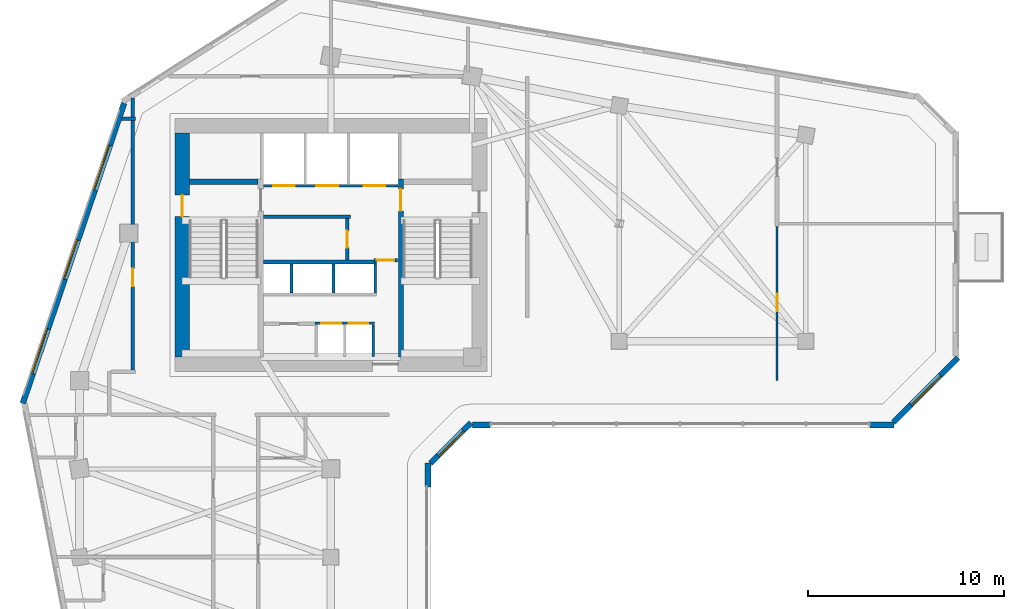
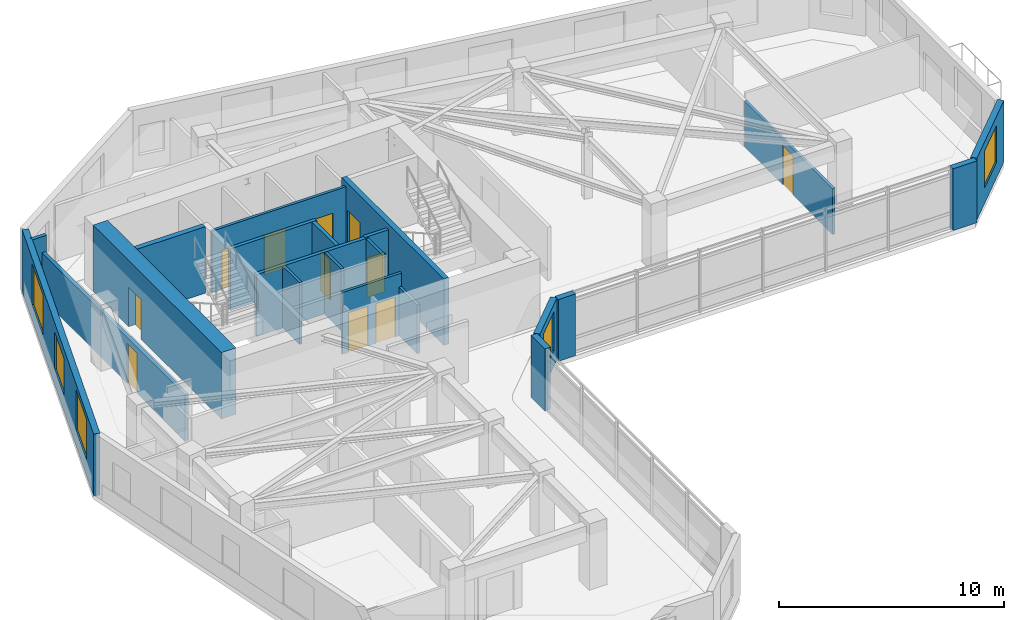
# One storey, part 6 of 13: 22 walls, 11 doors, 5 windows, 16 openings.
"""IFC4 building model written with IfcOpenShell, lengths in metres."""

import ifcopenshell
import ifcopenshell.guid

model = None  # the IFC model being written
_history = None  # IfcOwnerHistory: only IFC2X3 demands one
_inside = {}  # id of a spatial element -> (the spatial element, [elements in it])
_under = {}  # id of a project, library or spatial element -> (it, [spatial elements below it])
_declared = {}  # id of a project -> (the project, [libraries it declares])
_typed = {}  # id of a type object -> (the type object, [elements of that type])
_made_of = {}  # id of a material, layer set ... -> (it, [elements and type objects made of it])


def new_model(schema):
    """Start an empty IFC model of exactly this schema.

    Asked for "IFC4X3", IfcOpenShell would pick the latest addendum, in which some entities
    have other attributes; the version numbers below select the first issue.
    IFC2X3 requires an IfcOwnerHistory on every rooted entity: one is made here for all.
    """
    global model, _history
    if schema == "IFC4X3":
        model = ifcopenshell.file(schema_version=(4, 3, 0, 0))
    else:
        model = ifcopenshell.file(schema=schema)
    _inside.clear()
    _under.clear()
    _declared.clear()
    _typed.clear()
    _made_of.clear()
    _history = None
    if model.schema == "IFC2X3":
        org = make("IfcOrganization", Name="unknown")
        user = make(
            "IfcPersonAndOrganization",
            ThePerson=make("IfcPerson", FamilyName="unknown"),
            TheOrganization=org,
        )
        app = make(
            "IfcApplication",
            ApplicationDeveloper=org,
            Version="unknown",
            ApplicationFullName="unknown",
            ApplicationIdentifier="unknown",
        )
        _history = make(
            "IfcOwnerHistory",
            OwningUser=user,
            OwningApplication=app,
            ChangeAction="ADDED",
            CreationDate=0,
        )
    return model


def make(cls, **values):
    """One entity of the class cls with the attributes given. An attribute that is None is left unset."""
    return model.create_entity(
        cls, **{name: value for name, value in values.items() if value is not None}
    )


def rooted(cls, **values):
    """An entity with a GlobalId (a new one), such as an element, a storey or a relation."""
    return make(cls, GlobalId=ifcopenshell.guid.new(), OwnerHistory=_history, **values)


def si_unit(unit_type, name, prefix=None):
    """IfcSIUnit, for example si_unit("LENGTHUNIT", "METRE", prefix="MILLI")."""
    return make("IfcSIUnit", UnitType=unit_type, Prefix=prefix, Name=name)


def assignment(units):
    """IfcUnitAssignment: the units of a project."""
    return None if units is None else make("IfcUnitAssignment", Units=units)


def point(xyz):
    """IfcCartesianPoint."""
    return None if xyz is None else make("IfcCartesianPoint", Coordinates=xyz)


def direction(xyz):
    """IfcDirection."""
    return None if xyz is None else make("IfcDirection", DirectionRatios=xyz)


def frame(location, z_axis=None, x_axis=None):
    """IfcAxis2Placement3D, a coordinate frame: its origin and axes. An axis left out is left unset."""
    return make(
        "IfcAxis2Placement3D",
        Location=point(location),
        Axis=direction(z_axis),
        RefDirection=direction(x_axis),
    )


def frame_2d(location, x_axis=None):
    """IfcAxis2Placement2D, a coordinate frame in the plane: its origin and x axis."""
    return make(
        "IfcAxis2Placement2D", Location=point(location), RefDirection=direction(x_axis)
    )


def origin():
    """The frame at (0, 0, 0) with its axes left unset."""
    return frame((0.0, 0.0, 0.0))


def place(relative_to, where):
    """IfcLocalPlacement: puts the frame where relative to a parent placement (None: the world)."""
    return make(
        "IfcLocalPlacement", PlacementRelTo=relative_to, RelativePlacement=where
    )


def context(
    kind, dimensions, precision=None, world=None, true_north=None, identifier=None
):
    """IfcGeometricRepresentationContext, for example the 3D "Model" context."""
    return make(
        "IfcGeometricRepresentationContext",
        ContextIdentifier=identifier,
        ContextType=kind,
        CoordinateSpaceDimension=dimensions,
        Precision=precision,
        WorldCoordinateSystem=world,
        TrueNorth=true_north,
    )


def subcontext(parent, identifier, kind, view, scale=None):
    """IfcGeometricRepresentationSubContext, for example "Body" below "Model"."""
    return make(
        "IfcGeometricRepresentationSubContext",
        ContextIdentifier=identifier,
        ContextType=kind,
        ParentContext=parent,
        TargetScale=scale,
        TargetView=view,
    )


def project(units=None, contexts=None):
    """IfcProject with its units and contexts."""
    return rooted(
        "IfcProject",
        Name="project",
        RepresentationContexts=contexts,
        UnitsInContext=assignment(units),
    )


def spatial(cls, under=None, at=None, **own):
    """A site, building, storey or space (cls), placed at a placement, below another one or the project."""
    s = rooted(cls, ObjectPlacement=at, **own)
    if under is not None:
        _under.setdefault(under.id(), (under, []))[1].append(s)
    return s


def profile(cls, at=None, kind="AREA", **sizes):
    """A parametric profile (cls). Its sizes go by their IFC names, for example OverallWidth=200.0."""
    return make(cls, ProfileType=kind, Position=at, **sizes)


def rectangle(**sizes):
    """IfcRectangleProfileDef."""
    return profile("IfcRectangleProfileDef", **sizes)


def extrude(swept, where, along, depth):
    """IfcExtrudedAreaSolid: the profile swept, set in the frame where, extruded along a direction by depth."""
    return make(
        "IfcExtrudedAreaSolid",
        SweptArea=swept,
        Position=where,
        ExtrudedDirection=direction(along),
        Depth=depth,
    )


def shape(context_of_items, identifier, shape_type, items):
    """IfcShapeRepresentation: the items that make up one representation, for example the "Body"."""
    return make(
        "IfcShapeRepresentation",
        ContextOfItems=context_of_items,
        RepresentationIdentifier=identifier,
        RepresentationType=shape_type,
        Items=items,
    )


def source(mapping_origin, context_of_items, identifier, shape_type, items):
    """IfcRepresentationMap: a shape defined once, which mapped items show again and again."""
    return make(
        "IfcRepresentationMap",
        MappingOrigin=mapping_origin,
        MappedRepresentation=shape(context_of_items, identifier, shape_type, items),
    )


def transform(
    local_origin,
    x_axis=None,
    y_axis=None,
    z_axis=None,
    scale=None,
    scale2=None,
    scale3=None,
    uniform=True,
):
    """IfcCartesianTransformationOperator3D, or its non-uniform kind. x_axis, y_axis, z_axis: its Axis1, 2, 3."""
    if uniform:
        return make(
            "IfcCartesianTransformationOperator3D",
            Axis1=direction(x_axis),
            Axis2=direction(y_axis),
            LocalOrigin=point(local_origin),
            Scale=scale,
            Axis3=direction(z_axis),
        )
    return make(
        "IfcCartesianTransformationOperator3DnonUniform",
        Axis1=direction(x_axis),
        Axis2=direction(y_axis),
        LocalOrigin=point(local_origin),
        Scale=scale,
        Axis3=direction(z_axis),
        Scale2=scale2,
        Scale3=scale3,
    )


def mapped(mapping_source, mapping_target):
    """IfcMappedItem: shows the shape of a source again, moved by a transform."""
    return make(
        "IfcMappedItem", MappingSource=mapping_source, MappingTarget=mapping_target
    )


def material(Name=None, Category=None):
    """IfcMaterial."""
    return make("IfcMaterial", Name=Name, Category=Category)


def layer(
    of_material, thickness, ventilated=None, Name=None, Category=None, Priority=None
):
    """IfcMaterialLayer: one layer of a wall or slab, of a material (None: an air gap)."""
    return make(
        "IfcMaterialLayer",
        Material=of_material,
        LayerThickness=thickness,
        IsVentilated=ventilated,
        Name=Name,
        Category=Category,
        Priority=Priority,
    )


def layer_set(layers, Name=None):
    """IfcMaterialLayerSet."""
    return make("IfcMaterialLayerSet", MaterialLayers=layers, LayerSetName=Name)


def made_of(thing, what):
    """Note that an element or type object is made of a material, layer set ...; save() writes the relation."""
    if what is not None:
        _made_of.setdefault(what.id(), (what, []))[1].append(thing)
    return thing


def type_object(cls, material=None, **own):
    """A type object (cls), such as IfcWallType, which elements share."""
    return made_of(rooted(cls, **own), material)


def element(
    cls,
    number,
    at=None,
    inside=None,
    cuts=None,
    type_object=None,
    material=None,
    context=None,
    identifier="Body",
    shape_type=None,
    held_by="IfcProductDefinitionShape",
    body=None,
    shapes=None,
    **own,
):
    """One element of the class cls, such as IfcWall. Its Tag is "e" and its number.

    at: its placement. inside: the storey or other place that contains it. cuts: it is an
    opening in that element (IfcRelVoidsElement). A single representation is given by context,
    identifier, shape_type and body (its items); several are given by shapes. held_by: the class
    of the entity that holds the representations. save() writes the other relations.
    """
    e = rooted(cls, Tag="e%d" % number, ObjectPlacement=at, **own)
    if body is not None:
        shapes = [shape(context, identifier, shape_type, body)]
    if shapes is not None:
        e.Representation = make(held_by, Representations=shapes)
    if inside is not None:
        _inside.setdefault(inside.id(), (inside, []))[1].append(e)
    if cuts is not None:
        rooted(
            "IfcRelVoidsElement", RelatingBuildingElement=cuts, RelatedOpeningElement=e
        )
    if type_object is not None:
        _typed.setdefault(type_object.id(), (type_object, []))[1].append(e)
    return made_of(e, material)


def fill(opening, filler):
    """IfcRelFillsElement: the door or window that sits in an opening."""
    return rooted(
        "IfcRelFillsElement",
        RelatingOpeningElement=opening,
        RelatedBuildingElement=filler,
    )


def aggregate(whole, parts):
    """IfcRelAggregates: a whole, such as a stair, and the parts it consists of."""
    return rooted("IfcRelAggregates", RelatingObject=whole, RelatedObjects=parts)


def save(model, path):
    """Write the relations noted so far, then the file.

    IfcRelAggregates (storeys below a building ...), IfcRelContainedInSpatialStructure (elements
    in a storey), IfcRelDefinesByType, IfcRelAssociatesMaterial and IfcRelDeclares: one each for
    every whole, place, type object, material and project.
    """
    for whole, parts in _under.values():
        aggregate(whole, parts)
    for where, things in _inside.values():
        rooted(
            "IfcRelContainedInSpatialStructure",
            RelatedElements=things,
            RelatingStructure=where,
        )
    for kind, things in _typed.values():
        rooted("IfcRelDefinesByType", RelatedObjects=things, RelatingType=kind)
    for what, things in _made_of.values():
        rooted("IfcRelAssociatesMaterial", RelatedObjects=things, RelatingMaterial=what)
    for by, libraries in _declared.values():
        rooted("IfcRelDeclares", RelatingContext=by, RelatedDefinitions=libraries)
    model.write(path)


model = new_model("IFC4")

# Units and contexts
model_context = context("Model", 3, precision=1e-05, world=origin(), true_north=direction((0.0, 1.0)))
body_context = subcontext(model_context, "Body", "Model", "MODEL_VIEW")
ifc_project = project(units=[si_unit("LENGTHUNIT", "METRE"), si_unit("AREAUNIT", "SQUARE_METRE"), si_unit("VOLUMEUNIT", "CUBIC_METRE"), si_unit("PLANEANGLEUNIT", "RADIAN"), si_unit("MASSUNIT", "GRAM", prefix="KILO")], contexts=[model_context])

# Site, building, storey
site_placement = place(None, origin())
site = spatial("IfcSite", under=ifc_project, at=site_placement, CompositionType="ELEMENT")
building_placement = place(site_placement, origin())
building = spatial("IfcBuilding", under=site, at=building_placement, Name="Calvemar Wedge Station Tower", CompositionType="ELEMENT")
storey_placement = place(building_placement, frame((0.0, 0.0, 132.199951171875)))
storey = spatial("IfcBuildingStorey", under=building, at=storey_placement, Name="L32", CompositionType="ELEMENT", Elevation=132.199951171875)

# Wall, opening, door
ifc_material_1 = material(Name="Concrete C50", Category="concrete")
ifc_layer_1 = layer(ifc_material_1, 0.260009765625)
ifc_layer_set_1 = layer_set([ifc_layer_1], Name="Concrete C50")
wall_type_1 = type_object("IfcWallType", Name="SW-CORE-260", PredefinedType="SHEAR", material=ifc_layer_set_1)
wall_1_placement = place(storey_placement, frame((27.3701171875, 34.199951171875, 0.0), z_axis=(0.0, 0.0, 1.0), x_axis=(0.0, 1.0, 0.0)))
wall_1 = element("IfcWall", 1, at=wall_1_placement, inside=storey, type_object=wall_type_1, Name="Storey L32 Core Shear Wall SPINE-E", PredefinedType="SHEAR", context=body_context, shape_type="SweptSolid", body=[
    extrude(rectangle(XDim=9.06005859375, YDim=0.260009765625, at=frame_2d((4.530029296875, 0.0))), origin(), (0.0, 0.0, 1.0), 3.60009765625),
])
shared_shape_1 = source(origin(), body_context, "Body", "SweptSolid", [
    extrude(rectangle(XDim=1.10009765625, YDim=2.14990234375, at=frame_2d((0.550048828125, 1.074951171875))), frame((0.0, 0.14013671875, 0.0), z_axis=(0.0, -1.0, 0.0), x_axis=(1.0, 0.0, 0.0)), (0.0, 0.0, 1.0), 0.280029296875),
])
opening_1_placement = place(wall_1_placement, frame((7.449951171875, 0.0, 0.0)))
opening_1 = element("IfcOpeningElement", 2, at=opening_1_placement, cuts=wall_1, Name="Opening FD-90", PredefinedType="OPENING", context=body_context, shape_type="MappedRepresentation", body=[
    mapped(shared_shape_1, transform((0.0, 0.0, 0.0), scale=1.0)),
])
ifc_material_2 = material(Name="Galvanized fire-rated steel door leaf P-90", Category="steel")
door_type_1 = type_object("IfcDoorType", Name="DR-FD90-1100", OperationType="NOTDEFINED", PredefinedType="DOOR", material=ifc_material_2)
shared_shape_2 = source(origin(), body_context, "Body", "SweptSolid", [
    extrude(rectangle(XDim=1.10009765625, YDim=2.14990234375, at=frame_2d((0.550048828125, 1.074951171875))), frame((0.0, 0.02490234375, 0.0), z_axis=(0.0, -1.0, 0.0), x_axis=(1.0, 0.0, 0.0)), (0.0, 0.0, 1.0), 0.050048828125),
])
door_1_placement = place(opening_1_placement, origin())
door_1 = element("IfcDoor", 3, at=door_1_placement, inside=storey, type_object=door_type_1, Name="L32 FF Lobby to Stair ST-C2 Door", OperationType="SINGLE_SWING_RIGHT", OverallHeight=2.14990234375, OverallWidth=1.10009765625, PredefinedType="DOOR", context=body_context, shape_type="MappedRepresentation", body=[
    mapped(shared_shape_2, transform((0.0, 0.0, 0.0), scale=1.0)),
])
fill(opening_1, door_1)

# Wall
wall_2_placement = place(storey_placement, frame((16.60009765625, 43.1298828125, 0.0), z_axis=(0.0, 0.0, 1.0), x_axis=(1.0, 0.0, 0.0)))
element("IfcWall", 4, at=wall_2_placement, inside=storey, type_object=wall_type_1, Name="Storey L32 Core Shear Wall STC1-N", PredefinedType="SHEAR", context=body_context, shape_type="SweptSolid", body=[
    extrude(rectangle(XDim=3.5, YDim=0.260009765625, at=frame_2d((1.75, 0.0))), origin(), (0.0, 0.0, 1.0), 3.60009765625),
])

# Wall, opening, door
ifc_material_3 = material(Name="Concrete C70", Category="concrete")
ifc_layer_2 = layer(ifc_material_3, 0.75)
ifc_layer_set_2 = layer_set([ifc_layer_2], Name="Concrete C70")
wall_type_2 = type_object("IfcWallType", Name="SW-CORE-750", PredefinedType="SHEAR", material=ifc_layer_set_2)
wall_3_placement = place(storey_placement, frame((16.22509765625, 34.199951171875, 0.0), z_axis=(0.0, 0.0, 1.0), x_axis=(0.0, 1.0, 0.0)))
wall_3 = element("IfcWall", 5, at=wall_3_placement, inside=storey, type_object=wall_type_2, Name="Storey L32 Core Shear Wall W", PredefinedType="SHEAR", context=body_context, shape_type="SweptSolid", body=[
    extrude(rectangle(XDim=11.400146484375, YDim=0.75, at=frame_2d((5.7001953125, 0.0))), origin(), (0.0, 0.0, 1.0), 3.60009765625),
])
shared_shape_3 = source(origin(), body_context, "Body", "SweptSolid", [
    extrude(rectangle(XDim=1.10009765625, YDim=2.14990234375, at=frame_2d((0.550048828125, 1.074951171875))), frame((0.0, 0.385009765625, 0.0), z_axis=(0.0, -1.0, 0.0), x_axis=(1.0, 0.0, 0.0)), (0.0, 0.0, 1.0), 0.77001953125),
])
opening_2_placement = place(wall_3_placement, frame((7.14990234375, 0.0, 0.0)))
opening_2 = element("IfcOpeningElement", 6, at=opening_2_placement, cuts=wall_3, Name="Opening FD-90", PredefinedType="OPENING", context=body_context, shape_type="MappedRepresentation", body=[
    mapped(shared_shape_3, transform((0.0, 0.0, 0.0), scale=1.0)),
])
door_2_placement = place(opening_2_placement, origin())
door_2 = element("IfcDoor", 7, at=door_2_placement, inside=storey, type_object=door_type_1, Name="L32 West Corridor to Exit Stair ST-C1 Door", OperationType="SINGLE_SWING_LEFT", OverallHeight=2.14990234375, OverallWidth=1.10009765625, PredefinedType="DOOR", context=body_context, shape_type="MappedRepresentation", body=[
    mapped(shared_shape_2, transform((0.0, 0.0, 0.0), scale=1.0)),
])
fill(opening_2, door_2)

# Wall
ifc_material_4 = material(Name="Double-stud fire-rated corridor partition")
ifc_layer_3 = layer(ifc_material_4, 0.179931640625)
ifc_layer_set_3 = layer_set([ifc_layer_3], Name="Double-stud fire-rated corridor partition")
wall_type_3 = type_object("IfcWallType", Name="W-CORR-180", PredefinedType="PARTITIONING", material=ifc_layer_set_3)
wall_4_placement = place(storey_placement, frame((24.81005859375, 41.35009765625, 0.0), z_axis=(0.0, 0.0, 1.0), x_axis=(-1.0, 0.0, 0.0)))
element("IfcWall", 8, at=wall_4_placement, inside=storey, type_object=wall_type_3, Name="Storey L32 Interior Partition WL-L32-001", PredefinedType="PARTITIONING", context=body_context, shape_type="SweptSolid", body=[
    extrude(rectangle(XDim=4.43017578125, YDim=0.179931640625, at=frame_2d((2.215087890625, 0.0))), origin(), (0.0, 0.0, 1.0), 3.35009765625),
])

# Wall, opening, door
wall_5_placement = place(storey_placement, frame((24.64990234375, 41.256103515625, 0.0), z_axis=(0.0, 0.0, 1.0), x_axis=(0.0, -1.0, 0.0)))
wall_5 = element("IfcWall", 9, at=wall_5_placement, inside=storey, type_object=wall_type_3, Name="Storey L32 Interior Partition WL-L32-002", PredefinedType="PARTITIONING", context=body_context, shape_type="SweptSolid", body=[
    extrude(rectangle(XDim=2.106201171875, YDim=0.179931640625, at=frame_2d((1.05322265625, 0.0))), origin(), (0.0, 0.0, 1.0), 3.35009765625),
])
shared_shape_4 = source(origin(), body_context, "Body", "SweptSolid", [
    extrude(rectangle(XDim=0.85009765625, YDim=2.14990234375, at=frame_2d((0.425048828125, 1.074951171875))), frame((0.0, 0.10009765625, 0.0), z_axis=(0.0, -1.0, 0.0), x_axis=(1.0, 0.0, 0.0)), (0.0, 0.0, 1.0), 0.199951171875),
])
opening_3_placement = place(wall_5_placement, frame((0.6279296875, 0.0, 0.0)))
opening_3 = element("IfcOpeningElement", 10, at=opening_3_placement, cuts=wall_5, Name="Opening FD-60S", PredefinedType="OPENING", context=body_context, shape_type="MappedRepresentation", body=[
    mapped(shared_shape_4, transform((0.0, 0.0, 0.0), scale=1.0)),
])
ifc_material_5 = material(Name="Fire-rated steel and hardwood service door EI 60", Category="steel")
door_type_2 = type_object("IfcDoorType", Name="DR-CORE-FD60-850", OperationType="NOTDEFINED", PredefinedType="DOOR", material=ifc_material_5)
shared_shape_5 = source(origin(), body_context, "Body", "SweptSolid", [
    extrude(rectangle(XDim=0.85009765625, YDim=2.14990234375, at=frame_2d((0.425048828125, 1.074951171875))), frame((0.0, 0.02490234375, 0.0), z_axis=(0.0, -1.0, 0.0), x_axis=(1.0, 0.0, 0.0)), (0.0, 0.0, 1.0), 0.050048828125),
])
door_3_placement = place(opening_3_placement, origin())
door_3 = element("IfcDoor", 11, at=door_3_placement, inside=storey, type_object=door_type_2, Name="L32 Cleaner and Linen Store Door", OperationType="SINGLE_SWING_LEFT", OverallHeight=2.14990234375, OverallWidth=0.85009765625, PredefinedType="DOOR", context=body_context, shape_type="MappedRepresentation", body=[
    mapped(shared_shape_5, transform((0.0, 0.0, 0.0), scale=1.0)),
])
fill(opening_3, door_3)

wall_6_placement = place(storey_placement, frame((27.199951171875, 39.1298828125, 0.0), z_axis=(0.0, 0.0, 1.0), x_axis=(-1.0, 0.0, 0.0)))
wall_6 = element("IfcWall", 12, at=wall_6_placement, inside=storey, type_object=wall_type_3, Name="Storey L32 Interior Partition WL-L32-003", PredefinedType="PARTITIONING", context=body_context, shape_type="SweptSolid", body=[
    extrude(rectangle(XDim=1.2099609375, YDim=0.179931640625, at=frame_2d((0.60498046875, 0.0))), origin(), (0.0, 0.0, 1.0), 3.35009765625),
])
shared_shape_6 = source(origin(), body_context, "Body", "SweptSolid", [
    extrude(rectangle(XDim=0.89990234375, YDim=2.14990234375, at=frame_2d((0.449951171875, 1.074951171875))), frame((0.0, 0.10009765625, 0.0), z_axis=(0.0, -1.0, 0.0), x_axis=(1.0, 0.0, 0.0)), (0.0, 0.0, 1.0), 0.199951171875),
])
opening_4_placement = place(wall_6_placement, frame((0.155029296875, 0.0, 0.0)))
opening_4 = element("IfcOpeningElement", 13, at=opening_4_placement, cuts=wall_6, Name="Opening FD-60", PredefinedType="OPENING", context=body_context, shape_type="MappedRepresentation", body=[
    mapped(shared_shape_6, transform((0.0, 0.0, 0.0), scale=1.0)),
])
ifc_material_6 = material(Name="Fire-rated acoustic timber-core entrance door EI 60", Category="wood")
door_type_3 = type_object("IfcDoorType", Name="DR-FD60-900", OperationType="NOTDEFINED", PredefinedType="DOOR", material=ifc_material_6)
shared_shape_7 = source(origin(), body_context, "Body", "SweptSolid", [
    extrude(rectangle(XDim=0.89990234375, YDim=2.14990234375, at=frame_2d((0.449951171875, 1.074951171875))), frame((0.0, 0.02490234375, 0.0), z_axis=(0.0, -1.0, 0.0), x_axis=(1.0, 0.0, 0.0)), (0.0, 0.0, 1.0), 0.050048828125),
])
door_4_placement = place(opening_4_placement, origin())
door_4 = element("IfcDoor", 14, at=door_4_placement, inside=storey, type_object=door_type_3, Name="L32 Core Service Lobby Door", OperationType="SINGLE_SWING_RIGHT", OverallHeight=2.14990234375, OverallWidth=0.89990234375, PredefinedType="DOOR", context=body_context, shape_type="MappedRepresentation", body=[
    mapped(shared_shape_7, transform((0.0, 0.0, 0.0), scale=1.0)),
])
fill(opening_4, door_4)

wall_7_placement = place(storey_placement, frame((13.699951171875, 33.5439453125, 0.0), z_axis=(0.0, 0.0, 1.0), x_axis=(0.0, 1.0, 0.0)))
wall_7 = element("IfcWall", 15, at=wall_7_placement, inside=storey, type_object=wall_type_3, Name="Storey L32 Interior Partition WL-L32-010", PredefinedType="PARTITIONING", context=body_context, shape_type="SweptSolid", body=[
    extrude(rectangle(XDim=13.860107421875, YDim=0.179931640625, at=frame_2d((6.93017578125, 0.0))), origin(), (0.0, 0.0, 1.0), 2.491943359375),
])
opening_5_placement = place(wall_7_placement, frame((4.252685546875, 0.0, 0.0)))
opening_5 = element("IfcOpeningElement", 16, at=opening_5_placement, cuts=wall_7, Name="Opening D-01", PredefinedType="OPENING", context=body_context, shape_type="MappedRepresentation", body=[
    mapped(shared_shape_6, transform((0.0, 0.0, 0.0), scale=1.0)),
])
ifc_material_7 = material(Name="Architectural hardwood acoustic swing door", Category="wood")
door_type_4 = type_object("IfcDoorType", Name="DR-INT-900", OperationType="NOTDEFINED", PredefinedType="DOOR", material=ifc_material_7)
shared_shape_8 = source(origin(), body_context, "Body", "SweptSolid", [
    extrude(rectangle(XDim=0.89990234375, YDim=2.14990234375, at=frame_2d((0.449951171875, 1.074951171875))), frame((0.0, 0.02490234375, 0.0), z_axis=(0.0, -1.0, 0.0), x_axis=(1.0, 0.0, 0.0)), (0.0, 0.0, 1.0), 0.050048828125),
])
door_5_placement = place(opening_5_placement, origin())
door_5 = element("IfcDoor", 17, at=door_5_placement, inside=storey, type_object=door_type_4, Name="L32 Executive Lounge Door", OperationType="SINGLE_SWING_RIGHT", OverallHeight=2.14990234375, OverallWidth=0.89990234375, PredefinedType="DOOR", context=body_context, shape_type="MappedRepresentation", body=[
    mapped(shared_shape_8, transform((0.0, 0.0, 0.0), scale=1.0)),
])
fill(opening_5, door_5)

# Walls
wall_8_placement = place(storey_placement, frame((13.860107421875, 46.35009765625, 0.0), z_axis=(0.0, 0.0, 1.0), x_axis=(-1.0, 0.0, 0.0)))
element("IfcWall", 18, at=wall_8_placement, inside=storey, type_object=wall_type_3, Name="Storey L32 Interior Partition WL-L32-011", PredefinedType="PARTITIONING", context=body_context, shape_type="SweptSolid", body=[
    extrude(rectangle(XDim=0.73486328125, YDim=0.179931640625, at=frame_2d((0.367431640625, 0.0))), origin(), (0.0, 0.0, 1.0), 3.35009765625),
])
ifc_material_8 = material(Name="Precast concrete C45", Category="concrete")
ifc_layer_4 = layer(ifc_material_8, 0.300048828125)
ifc_layer_set_4 = layer_set([ifc_layer_4], Name="Precast concrete C45")
wall_type_4 = type_object("IfcWallType", Name="W-EXT-GFRC-300", PredefinedType="SOLIDWALL", material=ifc_layer_set_4)
wall_9_placement = place(storey_placement, frame((28.74609375, 27.57666015625, 0.0), z_axis=(0.0, 0.0, 1.0), x_axis=(0.0, 1.0, 0.0)))
element("IfcWall", 19, at=wall_9_placement, inside=storey, type_object=wall_type_4, Name="Storey L32 Bronze GFRC Corner Pier 4B", PredefinedType="SOLIDWALL", context=body_context, shape_type="SweptSolid", body=[
    extrude(rectangle(XDim=1.2275390625, YDim=0.300048828125, at=frame_2d((0.61376953125, 0.0))), origin(), (0.0, 0.0, 1.0), 3.35009765625),
])

# Wall, opening, window
wall_10_placement = place(storey_placement, frame((28.884033203125, 28.7919921875, 0.0), z_axis=(0.0, 0.0, 1.0), x_axis=(0.707064797706, 0.707148762175, 0.0)))
wall_10 = element("IfcWall", 20, at=wall_10_placement, inside=storey, type_object=wall_type_4, Name="Storey L32 Bronze GFRC Exterior Wall 5", PredefinedType="SOLIDWALL", context=body_context, shape_type="SweptSolid", body=[
    extrude(rectangle(XDim=2.90771484375, YDim=0.300048828125, at=frame_2d((1.453857421875, 0.0))), origin(), (0.0, 0.0, 1.0), 3.35009765625),
])
shared_shape_9 = source(origin(), body_context, "Body", "SweptSolid", [
    extrude(rectangle(XDim=1.800048828125, YDim=2.10009765625, at=frame_2d((0.89990234375, 1.050048828125))), frame((0.0, 0.16015625, 0.0), z_axis=(0.0, -1.0, 0.0), x_axis=(1.0, 0.0, 0.0)), (0.0, 0.0, 1.0), 0.320068359375),
])
opening_6_placement = place(wall_10_placement, frame((0.553955078125, 0.0, 0.85009765625)))
opening_6 = element("IfcOpeningElement", 21, at=opening_6_placement, cuts=wall_10, Name="Opening W2", PredefinedType="OPENING", context=body_context, shape_type="MappedRepresentation", body=[
    mapped(shared_shape_9, transform((0.0, 0.0, 0.0), scale=1.0)),
])
ifc_material_9 = material(Name="Low-E laminated insulated glass", Category="glass")
window_type_1 = type_object("IfcWindowType", Name="WIN-EXT-2", PartitioningType="SINGLE_PANEL", PredefinedType="WINDOW", material=ifc_material_9)
shared_shape_10 = source(origin(), body_context, "Body", "SweptSolid", [
    extrude(rectangle(XDim=1.800048828125, YDim=2.10009765625, at=frame_2d((0.89990234375, 1.050048828125))), frame((0.0, -0.014892578125, 0.0), z_axis=(0.0, -1.0, 0.0), x_axis=(1.0, 0.0, 0.0)), (0.0, 0.0, 1.0), 0.06005859375),
])
window_1_placement = place(opening_6_placement, origin())
window_1 = element("IfcWindow", 22, at=window_1_placement, inside=storey, type_object=window_type_1, Name="Storey L32 Recessed Window 5.1", OverallHeight=2.10009765625, OverallWidth=1.800048828125, PartitioningType="SINGLE_PANEL", PredefinedType="WINDOW", context=body_context, shape_type="MappedRepresentation", body=[
    mapped(shared_shape_10, transform((0.0, 0.0, 0.0), scale=1.0)),
])
fill(opening_6, window_1)

# Walls
wall_11_placement = place(storey_placement, frame((31.029052734375, 30.741943359375, 0.0), z_axis=(0.0, 0.0, 1.0), x_axis=(1.0, 0.0, 0.0)))
element("IfcWall", 23, at=wall_11_placement, inside=storey, type_object=wall_type_4, Name="Storey L32 Bronze GFRC Corner Pier 6A", PredefinedType="SOLIDWALL", context=body_context, shape_type="SweptSolid", body=[
    extrude(rectangle(XDim=0.88232421875, YDim=0.300048828125, at=frame_2d((0.441162109375, 0.0))), origin(), (0.0, 0.0, 1.0), 3.35009765625),
])
wall_12_placement = place(storey_placement, frame((51.260498046875, 30.741943359375, 0.0), z_axis=(0.0, 0.0, 1.0), x_axis=(1.0, 0.0, 0.0)))
element("IfcWall", 24, at=wall_12_placement, inside=storey, type_object=wall_type_4, Name="Storey L32 Bronze GFRC Corner Pier 6B", PredefinedType="SOLIDWALL", context=body_context, shape_type="SweptSolid", body=[
    extrude(rectangle(XDim=1.227294921875, YDim=0.300048828125, at=frame_2d((0.61376953125, 0.0))), origin(), (0.0, 0.0, 1.0), 3.35009765625),
])

# Wall, opening, window
wall_13_placement = place(storey_placement, frame((52.475830078125, 30.8798828125, 0.0), z_axis=(0.0, 0.0, 1.0), x_axis=(0.707106781187, 0.707106781187, 0.0)))
wall_13 = element("IfcWall", 25, at=wall_13_placement, inside=storey, type_object=wall_type_4, Name="Storey L32 Bronze GFRC Exterior Wall 7", PredefinedType="SOLIDWALL", context=body_context, shape_type="SweptSolid", body=[
    extrude(rectangle(XDim=4.638916015625, YDim=0.300048828125, at=frame_2d((2.3193359375, 0.0))), origin(), (0.0, 0.0, 1.0), 3.35009765625),
])
shared_shape_11 = source(origin(), body_context, "Body", "SweptSolid", [
    extrude(rectangle(XDim=2.10009765625, YDim=2.0, at=frame_2d((1.050048828125, 1.0))), frame((0.0, 0.16015625, 0.0), z_axis=(0.0, -1.0, 0.0), x_axis=(1.0, 0.0, 0.0)), (0.0, 0.0, 1.0), 0.320068359375),
])
opening_7_placement = place(wall_13_placement, frame((1.26904296875, 0.0, 0.85009765625)))
opening_7 = element("IfcOpeningElement", 26, at=opening_7_placement, cuts=wall_13, Name="Opening W4", PredefinedType="OPENING", context=body_context, shape_type="MappedRepresentation", body=[
    mapped(shared_shape_11, transform((0.0, 0.0, 0.0), scale=1.0)),
])
window_type_2 = type_object("IfcWindowType", Name="WIN-EXT-4", PartitioningType="SINGLE_PANEL", PredefinedType="WINDOW", material=ifc_material_9)
shared_shape_12 = source(origin(), body_context, "Body", "SweptSolid", [
    extrude(rectangle(XDim=2.10009765625, YDim=2.0, at=frame_2d((1.050048828125, 1.0))), frame((0.0, -0.014892578125, 0.0), z_axis=(0.0, -1.0, 0.0), x_axis=(1.0, 0.0, 0.0)), (0.0, 0.0, 1.0), 0.06005859375),
])
window_2_placement = place(opening_7_placement, origin())
window_2 = element("IfcWindow", 27, at=window_2_placement, inside=storey, type_object=window_type_2, Name="Storey L32 Recessed Window 7.1", OverallHeight=2.0, OverallWidth=2.10009765625, PartitioningType="SINGLE_PANEL", PredefinedType="WINDOW", context=body_context, shape_type="MappedRepresentation", body=[
    mapped(shared_shape_12, transform((0.0, 0.0, 0.0), scale=1.0)),
])
fill(opening_7, window_2)

# Wall, openings, windows
wall_14_placement = place(storey_placement, frame((13.2685546875, 47.1337890625, 0.0), z_axis=(0.0, 0.0, 1.0), x_axis=(-0.319929596295, -0.947441319246, 0.0)))
wall_14 = element("IfcWall", 28, at=wall_14_placement, inside=storey, type_object=wall_type_4, Name="Storey L32 Bronze GFRC Exterior Wall 12", PredefinedType="SOLIDWALL", context=body_context, shape_type="SweptSolid", body=[
    extrude(rectangle(XDim=16.13427734375, YDim=0.300048828125, at=frame_2d((8.067138671875, 0.0))), origin(), (0.0, 0.0, 1.0), 3.35009765625),
])
shared_shape_13 = source(origin(), body_context, "Body", "SweptSolid", [
    extrude(rectangle(XDim=2.39990234375, YDim=2.199951171875, at=frame_2d((1.199951171875, 1.10009765625))), frame((0.0, 0.16015625, 0.0), z_axis=(0.0, -1.0, 0.0), x_axis=(1.0, 0.0, 0.0)), (0.0, 0.0, 1.0), 0.320068359375),
])
opening_8_placement = place(wall_14_placement, frame((2.27587890625, 0.0, 0.85009765625)))
opening_8 = element("IfcOpeningElement", 29, at=opening_8_placement, cuts=wall_14, Name="Opening W1", PredefinedType="OPENING", context=body_context, shape_type="MappedRepresentation", body=[
    mapped(shared_shape_13, transform((0.0, 0.0, 0.0), scale=1.0)),
])
opening_9_placement = place(wall_14_placement, frame((7.361083984375, 0.0, 0.85009765625)))
opening_9 = element("IfcOpeningElement", 30, at=opening_9_placement, cuts=wall_14, Name="Opening W4", PredefinedType="OPENING", context=body_context, shape_type="MappedRepresentation", body=[
    mapped(shared_shape_11, transform((0.0, 0.0, 0.0), scale=1.0)),
])
opening_10_placement = place(wall_14_placement, frame((12.14697265625, 0.0, 0.85009765625)))
opening_10 = element("IfcOpeningElement", 31, at=opening_10_placement, cuts=wall_14, Name="Opening W1", PredefinedType="OPENING", context=body_context, shape_type="MappedRepresentation", body=[
    mapped(shared_shape_13, transform((0.0, 0.0, 0.0), scale=1.0)),
])
window_3_placement = place(opening_9_placement, origin())
window_3 = element("IfcWindow", 32, at=window_3_placement, inside=storey, type_object=window_type_2, Name="Storey L32 Recessed Window 12.2", OverallHeight=2.0, OverallWidth=2.10009765625, PartitioningType="SINGLE_PANEL", PredefinedType="WINDOW", context=body_context, shape_type="MappedRepresentation", body=[
    mapped(shared_shape_12, transform((0.0, 0.0, 0.0), scale=1.0)),
])
fill(opening_9, window_3)
window_type_3 = type_object("IfcWindowType", Name="WIN-EXT-1", PartitioningType="SINGLE_PANEL", PredefinedType="WINDOW", material=ifc_material_9)
shared_shape_14 = source(origin(), body_context, "Body", "SweptSolid", [
    extrude(rectangle(XDim=2.39990234375, YDim=2.199951171875, at=frame_2d((1.199951171875, 1.10009765625))), frame((0.0, -0.014892578125, 0.0), z_axis=(0.0, -1.0, 0.0), x_axis=(1.0, 0.0, 0.0)), (0.0, 0.0, 1.0), 0.06005859375),
])
window_4_placement = place(opening_8_placement, origin())
window_4 = element("IfcWindow", 33, at=window_4_placement, inside=storey, type_object=window_type_3, Name="Storey L32 Recessed Window 12.1", OverallHeight=2.199951171875, OverallWidth=2.39990234375, PartitioningType="SINGLE_PANEL", PredefinedType="WINDOW", context=body_context, shape_type="MappedRepresentation", body=[
    mapped(shared_shape_14, transform((0.0, 0.0, 0.0), scale=1.0)),
])
fill(opening_8, window_4)
window_5_placement = place(opening_10_placement, origin())
window_5 = element("IfcWindow", 34, at=window_5_placement, inside=storey, type_object=window_type_3, Name="Storey L32 Recessed Window 12.3", OverallHeight=2.199951171875, OverallWidth=2.39990234375, PartitioningType="SINGLE_PANEL", PredefinedType="WINDOW", context=body_context, shape_type="MappedRepresentation", body=[
    mapped(shared_shape_14, transform((0.0, 0.0, 0.0), scale=1.0)),
])
fill(opening_10, window_5)

# Wall, openings, doors
ifc_material_10 = material(Name="Reinforced concrete blockwork lift shaft wall", Category="masonry")
ifc_layer_5 = layer(ifc_material_10, 0.139892578125)
ifc_layer_set_5 = layer_set([ifc_layer_5], Name="Reinforced concrete blockwork lift shaft wall")
wall_type_5 = type_object("IfcWallType", Name="W-LIFT-160", PredefinedType="SOLIDWALL", material=ifc_layer_set_5)
wall_15_placement = place(storey_placement, frame((20.3701171875, 42.929931640625, 0.0), z_axis=(0.0, 0.0, 1.0), x_axis=(1.0, 0.0, 0.0)))
wall_15 = element("IfcWall", 35, at=wall_15_placement, inside=storey, type_object=wall_type_5, Name="Storey L32 Firefighting and Service Lift Shaft Front Wall", PredefinedType="SOLIDWALL", context=body_context, shape_type="SweptSolid", body=[
    extrude(rectangle(XDim=6.85986328125, YDim=0.139892578125, at=frame_2d((3.429931640625, 0.0))), origin(), (0.0, 0.0, 1.0), 3.35009765625),
])
shared_shape_15 = source(origin(), body_context, "Body", "SweptSolid", [
    extrude(rectangle(XDim=1.10009765625, YDim=2.14990234375, at=frame_2d((0.550048828125, 1.074951171875))), frame((0.0, 0.080078125, 0.0), z_axis=(0.0, -1.0, 0.0), x_axis=(1.0, 0.0, 0.0)), (0.0, 0.0, 1.0), 0.159912109375),
])
opening_11_placement = place(wall_15_placement, frame((0.5, 0.0, 0.0)))
opening_11 = element("IfcOpeningElement", 36, at=opening_11_placement, cuts=wall_15, Name="Opening LD-FF", PredefinedType="OPENING", context=body_context, shape_type="MappedRepresentation", body=[
    mapped(shared_shape_15, transform((0.0, 0.0, 0.0), scale=1.0)),
])
opening_12_placement = place(wall_15_placement, frame((2.699951171875, 0.0, 0.0)))
opening_12 = element("IfcOpeningElement", 37, at=opening_12_placement, cuts=wall_15, Name="Opening LD-FF", PredefinedType="OPENING", context=body_context, shape_type="MappedRepresentation", body=[
    mapped(shared_shape_15, transform((0.0, 0.0, 0.0), scale=1.0)),
])
opening_13_placement = place(wall_15_placement, frame((5.10009765625, 0.0, 0.0)))
opening_13 = element("IfcOpeningElement", 38, at=opening_13_placement, cuts=wall_15, Name="Opening LD-STN", PredefinedType="OPENING", context=body_context, shape_type="MappedRepresentation", body=[
    mapped(shared_shape_15, transform((0.0, 0.0, 0.0), scale=1.0)),
])
ifc_material_11 = material(Name="Stainless steel firefighting lift sliding landing door", Category="steel")
door_type_5 = type_object("IfcDoorType", Name="DR-LD-FF-1100", OperationType="SLIDING_TO_LEFT", PredefinedType="DOOR", material=ifc_material_11)
shared_shape_16 = source(origin(), body_context, "Body", "SweptSolid", [
    extrude(rectangle(XDim=1.10009765625, YDim=2.14990234375, at=frame_2d((0.550048828125, 1.074951171875))), frame((0.0, 0.02490234375, 0.0), z_axis=(0.0, -1.0, 0.0), x_axis=(1.0, 0.0, 0.0)), (0.0, 0.0, 1.0), 0.050048828125),
])
door_6_placement = place(opening_11_placement, origin())
door_6 = element("IfcDoor", 39, at=door_6_placement, inside=storey, type_object=door_type_5, Name="L32 Lift FF-01 Sliding Landing Door", OperationType="SLIDING_TO_LEFT", OverallHeight=2.14990234375, OverallWidth=1.10009765625, PredefinedType="DOOR", context=body_context, shape_type="MappedRepresentation", body=[
    mapped(shared_shape_16, transform((0.0, 0.0, 0.0), scale=1.0)),
])
fill(opening_11, door_6)
door_7_placement = place(opening_12_placement, origin())
door_7 = element("IfcDoor", 40, at=door_7_placement, inside=storey, type_object=door_type_5, Name="L32 Lift FF-02 Sliding Landing Door", OperationType="SLIDING_TO_RIGHT", OverallHeight=2.14990234375, OverallWidth=1.10009765625, PredefinedType="DOOR", context=body_context, shape_type="MappedRepresentation", body=[
    mapped(shared_shape_16, transform((0.0, 0.0, 0.0), scale=1.0)),
])
fill(opening_12, door_7)
ifc_material_12 = material(Name="Stainless steel transit lift sliding landing door", Category="steel")
door_type_6 = type_object("IfcDoorType", Name="DR-LD-PAX-1100", OperationType="SLIDING_TO_LEFT", PredefinedType="DOOR", material=ifc_material_12)
shared_shape_17 = source(origin(), body_context, "Body", "SweptSolid", [
    extrude(rectangle(XDim=1.10009765625, YDim=2.14990234375, at=frame_2d((0.550048828125, 1.074951171875))), frame((0.0, 0.02490234375, 0.0), z_axis=(0.0, -1.0, 0.0), x_axis=(1.0, 0.0, 0.0)), (0.0, 0.0, 1.0), 0.050048828125),
])
door_8_placement = place(opening_13_placement, origin())
door_8 = element("IfcDoor", 41, at=door_8_placement, inside=storey, type_object=door_type_6, Name="L32 Lift SV-01 Sliding Landing Door", OperationType="SLIDING_TO_LEFT", OverallHeight=2.14990234375, OverallWidth=1.10009765625, PredefinedType="DOOR", context=body_context, shape_type="MappedRepresentation", body=[
    mapped(shared_shape_17, transform((0.0, 0.0, 0.0), scale=1.0)),
])
fill(opening_13, door_8)

wall_16_placement = place(storey_placement, frame((23.0, 35.919921875, 0.0), z_axis=(0.0, 0.0, 1.0), x_axis=(1.0, 0.0, 0.0)))
wall_16 = element("IfcWall", 42, at=wall_16_placement, inside=storey, type_object=wall_type_5, Name="Storey L32 South Passenger Lift Bank Front Wall", PredefinedType="SOLIDWALL", context=body_context, shape_type="SweptSolid", body=[
    extrude(rectangle(XDim=3.030029296875, YDim=0.139892578125, at=frame_2d((1.51513671875, 0.0))), origin(), (0.0, 0.0, 1.0), 3.35009765625),
])
shared_shape_18 = source(origin(), body_context, "Body", "SweptSolid", [
    extrude(rectangle(XDim=1.0, YDim=2.14990234375, at=frame_2d((0.5, 1.074951171875))), frame((0.0, 0.080078125, 0.0), z_axis=(0.0, -1.0, 0.0), x_axis=(1.0, 0.0, 0.0)), (0.0, 0.0, 1.0), 0.159912109375),
])
opening_14_placement = place(wall_16_placement, frame((0.320068359375, 0.0, 0.0)))
opening_14 = element("IfcOpeningElement", 43, at=opening_14_placement, cuts=wall_16, Name="Opening LD-PAX", PredefinedType="OPENING", context=body_context, shape_type="MappedRepresentation", body=[
    mapped(shared_shape_18, transform((0.0, 0.0, 0.0), scale=1.0)),
])
opening_15_placement = place(wall_16_placement, frame((1.7099609375, 0.0, 0.0)))
opening_15 = element("IfcOpeningElement", 44, at=opening_15_placement, cuts=wall_16, Name="Opening LD-PAX", PredefinedType="OPENING", context=body_context, shape_type="MappedRepresentation", body=[
    mapped(shared_shape_18, transform((0.0, 0.0, 0.0), scale=1.0)),
])
ifc_material_13 = material(Name="Anodised bronze passenger lift sliding landing door")
door_type_7 = type_object("IfcDoorType", Name="DR-LD-PAX-1000", OperationType="SLIDING_TO_LEFT", PredefinedType="DOOR", material=ifc_material_13)
shared_shape_19 = source(origin(), body_context, "Body", "SweptSolid", [
    extrude(rectangle(XDim=1.0, YDim=2.14990234375, at=frame_2d((0.5, 1.074951171875))), frame((0.0, 0.02490234375, 0.0), z_axis=(0.0, -1.0, 0.0), x_axis=(1.0, 0.0, 0.0)), (0.0, 0.0, 1.0), 0.050048828125),
])
door_9_placement = place(opening_14_placement, origin())
door_9 = element("IfcDoor", 45, at=door_9_placement, inside=storey, type_object=door_type_7, Name="L32 Lift HL-01 Sliding Landing Door", OperationType="SLIDING_TO_LEFT", OverallHeight=2.14990234375, OverallWidth=1.0, PredefinedType="DOOR", context=body_context, shape_type="MappedRepresentation", body=[
    mapped(shared_shape_19, transform((0.0, 0.0, 0.0), scale=1.0)),
])
fill(opening_14, door_9)
door_10_placement = place(opening_15_placement, origin())
door_10 = element("IfcDoor", 46, at=door_10_placement, inside=storey, type_object=door_type_7, Name="L32 Lift HL-02 Sliding Landing Door", OperationType="SLIDING_TO_RIGHT", OverallHeight=2.14990234375, OverallWidth=1.0, PredefinedType="DOOR", context=body_context, shape_type="MappedRepresentation", body=[
    mapped(shared_shape_19, transform((0.0, 0.0, 0.0), scale=1.0)),
])
fill(opening_15, door_10)

# Walls
wall_17_placement = place(storey_placement, frame((25.9599609375, 34.219970703125, 0.0), z_axis=(0.0, 0.0, 1.0), x_axis=(0.0, 1.0, 0.0)))
element("IfcWall", 47, at=wall_17_placement, inside=storey, type_object=wall_type_5, Name="Storey L32 South Passenger Lift Shaft Wall E", PredefinedType="SOLIDWALL", context=body_context, shape_type="SweptSolid", body=[
    extrude(rectangle(XDim=1.6201171875, YDim=0.139892578125, at=frame_2d((0.81005859375, 0.0))), origin(), (0.0, 0.0, 1.0), 2.64208984375),
])
for number, where, z_axis, x_axis, name in (
    (48, (26.06005859375, 37.4599609375, 0.0), (0.0, 0.0, 1.0), (0.0, 1.0, 0.0), "Storey L32 Upper Passenger Lift Shaft Wall E"),
    (49, (21.794921875, 37.4599609375, 0.0), (0.0, 0.0, 1.0), (0.0, 1.0, 0.0), "Storey L32 Upper Passenger Lift Shaft Wall D1"),
    (50, (23.93505859375, 37.4599609375, 0.0), (0.0, 0.0, 1.0), (0.0, 1.0, 0.0), "Storey L32 Upper Passenger Lift Shaft Wall D2"),
):
    element("IfcWall", number, at=place(storey_placement, frame(where, z_axis=z_axis, x_axis=x_axis)), inside=storey, type_object=wall_type_5, Name=name, PredefinedType="SOLIDWALL", context=body_context, shape_type="SweptSolid", body=[
        extrude(rectangle(XDim=1.47998046875, YDim=0.139892578125, at=frame_2d((0.739990234375, 0.0))), origin(), (0.0, 0.0, 1.0), 3.35009765625),
    ])

# Wall, opening, door
ifc_material_14 = material(Name="Insulated acoustic gypsum stud partition")
ifc_layer_6 = layer(ifc_material_14, 0.125)
ifc_layer_set_6 = layer_set([ifc_layer_6], Name="Insulated acoustic gypsum stud partition")
wall_type_6 = type_object("IfcWallType", Name="W-PART-125", PredefinedType="PARTITIONING", material=ifc_layer_set_6)
wall_18_placement = place(storey_placement, frame((46.534912109375, 40.837890625, 0.0), z_axis=(0.0, 0.0, 1.0), x_axis=(0.0, -1.0, 0.0)))
wall_18 = element("IfcWall", 51, at=wall_18_placement, inside=storey, type_object=wall_type_6, Name="Storey L32 Interior Partition WL-L32-020", PredefinedType="PARTITIONING", context=body_context, shape_type="SweptSolid", body=[
    extrude(rectangle(XDim=7.837890625, YDim=0.125, at=frame_2d((3.9189453125, 0.0))), origin(), (0.0, 0.0, 1.0), 2.491943359375),
])
shared_shape_20 = source(origin(), body_context, "Body", "SweptSolid", [
    extrude(rectangle(XDim=0.89990234375, YDim=2.14990234375, at=frame_2d((0.449951171875, 1.074951171875))), frame((0.0, 0.072509765625, 0.0), z_axis=(0.0, -1.0, 0.0), x_axis=(1.0, 0.0, 0.0)), (0.0, 0.0, 1.0), 0.14501953125),
])
opening_16_placement = place(wall_18_placement, frame((3.40869140625, 0.0, 0.0)))
opening_16 = element("IfcOpeningElement", 52, at=opening_16_placement, cuts=wall_18, Name="Opening D-01", PredefinedType="OPENING", context=body_context, shape_type="MappedRepresentation", body=[
    mapped(shared_shape_20, transform((0.0, 0.0, 0.0), scale=1.0)),
])
door_11_placement = place(opening_16_placement, origin())
door_11 = element("IfcDoor", 53, at=door_11_placement, inside=storey, type_object=door_type_4, Name="L32 VIP Boardroom Door", OperationType="SINGLE_SWING_LEFT", OverallHeight=2.14990234375, OverallWidth=0.89990234375, PredefinedType="DOOR", context=body_context, shape_type="MappedRepresentation", body=[
    mapped(shared_shape_8, transform((0.0, 0.0, 0.0), scale=1.0)),
])
fill(opening_16, door_11)

# Wall
ifc_material_15 = material(Name="Concrete blockwork and fireboard shaft wall", Category="masonry")
ifc_layer_7 = layer(ifc_material_15, 0.199951171875)
ifc_layer_set_7 = layer_set([ifc_layer_7], Name="Concrete blockwork and fireboard shaft wall")
wall_type_7 = type_object("IfcWallType", Name="W-SHAFT-200", PredefinedType="SOLIDWALL", material=ifc_layer_set_7)
wall_19_placement = place(storey_placement, frame((20.3798828125, 39.0400390625, 0.0), z_axis=(0.0, 0.0, 1.0), x_axis=(1.0, 0.0, 0.0)))
element("IfcWall", 54, at=wall_19_placement, inside=storey, type_object=wall_type_7, Name="Storey L32 Upper Passenger Lift Bank Rear Shaft Wall", PredefinedType="SOLIDWALL", context=body_context, shape_type="SweptSolid", body=[
    extrude(rectangle(XDim=5.75, YDim=0.179931640625, at=frame_2d((2.875, 0.0))), origin(), (0.0, 0.0, 1.0), 3.35009765625),
])

save(model, "model.ifc")
